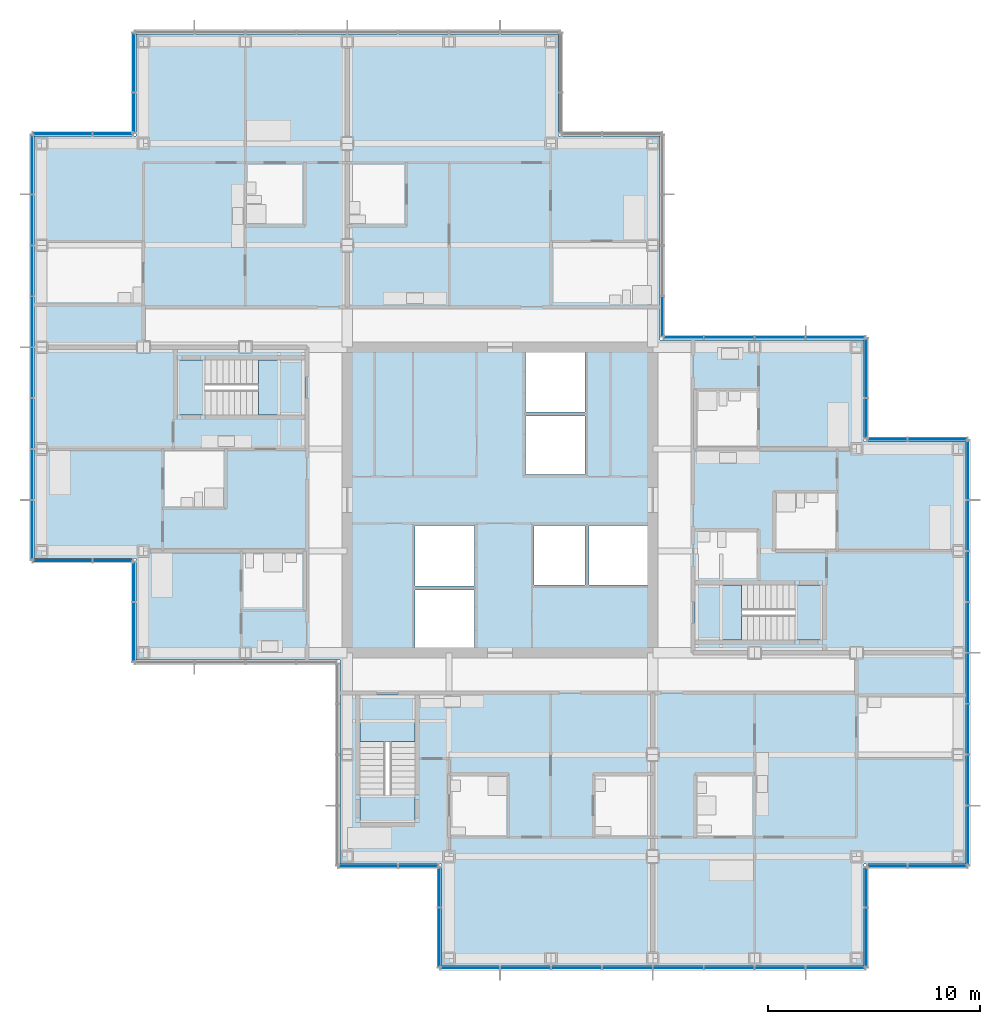
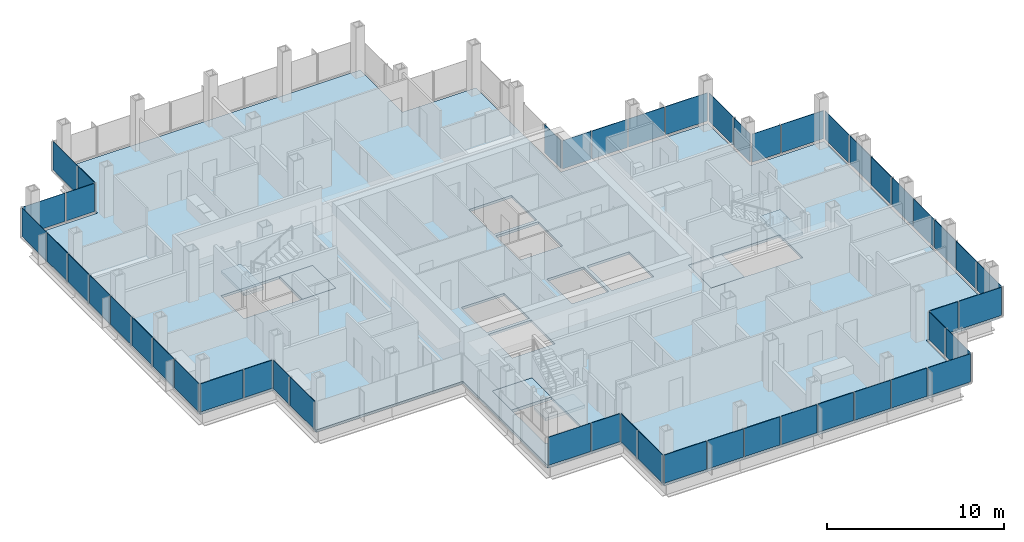
# One storey, part 12 of 20: 49 plates, 7 slabs, 18 elements without a shape of their own.
"""IFC4 building model written with IfcOpenShell, lengths in metres."""

import ifcopenshell
import ifcopenshell.guid

model = None  # the IFC model being written
_history = None  # IfcOwnerHistory: only IFC2X3 demands one
_inside = {}  # id of a spatial element -> (the spatial element, [elements in it])
_under = {}  # id of a project, library or spatial element -> (it, [spatial elements below it])
_declared = {}  # id of a project -> (the project, [libraries it declares])
_typed = {}  # id of a type object -> (the type object, [elements of that type])
_made_of = {}  # id of a material, layer set ... -> (it, [elements and type objects made of it])


def new_model(schema):
    """Start an empty IFC model of exactly this schema.

    Asked for "IFC4X3", IfcOpenShell would pick the latest addendum, in which some entities
    have other attributes; the version numbers below select the first issue.
    IFC2X3 requires an IfcOwnerHistory on every rooted entity: one is made here for all.
    """
    global model, _history
    if schema == "IFC4X3":
        model = ifcopenshell.file(schema_version=(4, 3, 0, 0))
    else:
        model = ifcopenshell.file(schema=schema)
    _inside.clear()
    _under.clear()
    _declared.clear()
    _typed.clear()
    _made_of.clear()
    _history = None
    if model.schema == "IFC2X3":
        org = make("IfcOrganization", Name="unknown")
        user = make(
            "IfcPersonAndOrganization",
            ThePerson=make("IfcPerson", FamilyName="unknown"),
            TheOrganization=org,
        )
        app = make(
            "IfcApplication",
            ApplicationDeveloper=org,
            Version="unknown",
            ApplicationFullName="unknown",
            ApplicationIdentifier="unknown",
        )
        _history = make(
            "IfcOwnerHistory",
            OwningUser=user,
            OwningApplication=app,
            ChangeAction="ADDED",
            CreationDate=0,
        )
    return model


def make(cls, **values):
    """One entity of the class cls with the attributes given. An attribute that is None is left unset."""
    return model.create_entity(
        cls, **{name: value for name, value in values.items() if value is not None}
    )


def rooted(cls, **values):
    """An entity with a GlobalId (a new one), such as an element, a storey or a relation."""
    return make(cls, GlobalId=ifcopenshell.guid.new(), OwnerHistory=_history, **values)


def si_unit(unit_type, name, prefix=None):
    """IfcSIUnit, for example si_unit("LENGTHUNIT", "METRE", prefix="MILLI")."""
    return make("IfcSIUnit", UnitType=unit_type, Prefix=prefix, Name=name)


def assignment(units):
    """IfcUnitAssignment: the units of a project."""
    return None if units is None else make("IfcUnitAssignment", Units=units)


def point(xyz):
    """IfcCartesianPoint."""
    return None if xyz is None else make("IfcCartesianPoint", Coordinates=xyz)


def direction(xyz):
    """IfcDirection."""
    return None if xyz is None else make("IfcDirection", DirectionRatios=xyz)


def frame(location, z_axis=None, x_axis=None):
    """IfcAxis2Placement3D, a coordinate frame: its origin and axes. An axis left out is left unset."""
    return make(
        "IfcAxis2Placement3D",
        Location=point(location),
        Axis=direction(z_axis),
        RefDirection=direction(x_axis),
    )


def frame_2d(location, x_axis=None):
    """IfcAxis2Placement2D, a coordinate frame in the plane: its origin and x axis."""
    return make(
        "IfcAxis2Placement2D", Location=point(location), RefDirection=direction(x_axis)
    )


def origin():
    """The frame at (0, 0, 0) with its axes left unset."""
    return frame((0.0, 0.0, 0.0))


def origin_2d():
    """The frame at (0, 0) in the plane with its x axis left unset."""
    return frame_2d((0.0, 0.0))


def place(relative_to, where):
    """IfcLocalPlacement: puts the frame where relative to a parent placement (None: the world)."""
    return make(
        "IfcLocalPlacement", PlacementRelTo=relative_to, RelativePlacement=where
    )


def context(
    kind, dimensions, precision=None, world=None, true_north=None, identifier=None
):
    """IfcGeometricRepresentationContext, for example the 3D "Model" context."""
    return make(
        "IfcGeometricRepresentationContext",
        ContextIdentifier=identifier,
        ContextType=kind,
        CoordinateSpaceDimension=dimensions,
        Precision=precision,
        WorldCoordinateSystem=world,
        TrueNorth=true_north,
    )


def subcontext(parent, identifier, kind, view, scale=None):
    """IfcGeometricRepresentationSubContext, for example "Body" below "Model"."""
    return make(
        "IfcGeometricRepresentationSubContext",
        ContextIdentifier=identifier,
        ContextType=kind,
        ParentContext=parent,
        TargetScale=scale,
        TargetView=view,
    )


def project(units=None, contexts=None):
    """IfcProject with its units and contexts."""
    return rooted(
        "IfcProject",
        Name="project",
        RepresentationContexts=contexts,
        UnitsInContext=assignment(units),
    )


def spatial(cls, under=None, at=None, **own):
    """A site, building, storey or space (cls), placed at a placement, below another one or the project."""
    s = rooted(cls, ObjectPlacement=at, **own)
    if under is not None:
        _under.setdefault(under.id(), (under, []))[1].append(s)
    return s


def polyline(points):
    """IfcPolyline through the points."""
    return make("IfcPolyline", Points=[point(p) for p in points])


def profile(cls, at=None, kind="AREA", **sizes):
    """A parametric profile (cls). Its sizes go by their IFC names, for example OverallWidth=200.0."""
    return make(cls, ProfileType=kind, Position=at, **sizes)


def rectangle(**sizes):
    """IfcRectangleProfileDef."""
    return profile("IfcRectangleProfileDef", **sizes)


def outline(outer, holes=None, kind="AREA"):
    """IfcArbitraryClosedProfileDef: a profile drawn as a closed curve; with holes, ...WithVoids."""
    if holes is None:
        return make("IfcArbitraryClosedProfileDef", ProfileType=kind, OuterCurve=outer)
    return make(
        "IfcArbitraryProfileDefWithVoids",
        ProfileType=kind,
        OuterCurve=outer,
        InnerCurves=holes,
    )


def extrude(swept, where, along, depth):
    """IfcExtrudedAreaSolid: the profile swept, set in the frame where, extruded along a direction by depth."""
    return make(
        "IfcExtrudedAreaSolid",
        SweptArea=swept,
        Position=where,
        ExtrudedDirection=direction(along),
        Depth=depth,
    )


def shape(context_of_items, identifier, shape_type, items):
    """IfcShapeRepresentation: the items that make up one representation, for example the "Body"."""
    return make(
        "IfcShapeRepresentation",
        ContextOfItems=context_of_items,
        RepresentationIdentifier=identifier,
        RepresentationType=shape_type,
        Items=items,
    )


def material(Name=None, Category=None):
    """IfcMaterial."""
    return make("IfcMaterial", Name=Name, Category=Category)


def layer(
    of_material, thickness, ventilated=None, Name=None, Category=None, Priority=None
):
    """IfcMaterialLayer: one layer of a wall or slab, of a material (None: an air gap)."""
    return make(
        "IfcMaterialLayer",
        Material=of_material,
        LayerThickness=thickness,
        IsVentilated=ventilated,
        Name=Name,
        Category=Category,
        Priority=Priority,
    )


def layer_set(layers, Name=None):
    """IfcMaterialLayerSet."""
    return make("IfcMaterialLayerSet", MaterialLayers=layers, LayerSetName=Name)


def made_of(thing, what):
    """Note that an element or type object is made of a material, layer set ...; save() writes the relation."""
    if what is not None:
        _made_of.setdefault(what.id(), (what, []))[1].append(thing)
    return thing


def type_object(cls, material=None, **own):
    """A type object (cls), such as IfcWallType, which elements share."""
    return made_of(rooted(cls, **own), material)


def element(
    cls,
    number,
    at=None,
    inside=None,
    cuts=None,
    type_object=None,
    material=None,
    context=None,
    identifier="Body",
    shape_type=None,
    held_by="IfcProductDefinitionShape",
    body=None,
    shapes=None,
    **own,
):
    """One element of the class cls, such as IfcWall. Its Tag is "e" and its number.

    at: its placement. inside: the storey or other place that contains it. cuts: it is an
    opening in that element (IfcRelVoidsElement). A single representation is given by context,
    identifier, shape_type and body (its items); several are given by shapes. held_by: the class
    of the entity that holds the representations. save() writes the other relations.
    """
    e = rooted(cls, Tag="e%d" % number, ObjectPlacement=at, **own)
    if body is not None:
        shapes = [shape(context, identifier, shape_type, body)]
    if shapes is not None:
        e.Representation = make(held_by, Representations=shapes)
    if inside is not None:
        _inside.setdefault(inside.id(), (inside, []))[1].append(e)
    if cuts is not None:
        rooted(
            "IfcRelVoidsElement", RelatingBuildingElement=cuts, RelatedOpeningElement=e
        )
    if type_object is not None:
        _typed.setdefault(type_object.id(), (type_object, []))[1].append(e)
    return made_of(e, material)


def aggregate(whole, parts):
    """IfcRelAggregates: a whole, such as a stair, and the parts it consists of."""
    return rooted("IfcRelAggregates", RelatingObject=whole, RelatedObjects=parts)


def save(model, path):
    """Write the relations noted so far, then the file.

    IfcRelAggregates (storeys below a building ...), IfcRelContainedInSpatialStructure (elements
    in a storey), IfcRelDefinesByType, IfcRelAssociatesMaterial and IfcRelDeclares: one each for
    every whole, place, type object, material and project.
    """
    for whole, parts in _under.values():
        aggregate(whole, parts)
    for where, things in _inside.values():
        rooted(
            "IfcRelContainedInSpatialStructure",
            RelatedElements=things,
            RelatingStructure=where,
        )
    for kind, things in _typed.values():
        rooted("IfcRelDefinesByType", RelatedObjects=things, RelatingType=kind)
    for what, things in _made_of.values():
        rooted("IfcRelAssociatesMaterial", RelatedObjects=things, RelatingMaterial=what)
    for by, libraries in _declared.values():
        rooted("IfcRelDeclares", RelatingContext=by, RelatedDefinitions=libraries)
    model.write(path)


model = new_model("IFC4")

# Units and contexts
model_context = context("Model", 3, precision=1e-05, world=origin(), true_north=direction((0.0, 1.0)))
body_context = subcontext(model_context, "Body", "Model", "MODEL_VIEW")
ifc_project = project(units=[si_unit("LENGTHUNIT", "METRE"), si_unit("AREAUNIT", "SQUARE_METRE"), si_unit("VOLUMEUNIT", "CUBIC_METRE"), si_unit("PLANEANGLEUNIT", "RADIAN"), si_unit("MASSUNIT", "GRAM", prefix="KILO")], contexts=[model_context])

# Site, building, storey
site_placement = place(None, origin())
site = spatial("IfcSite", under=ifc_project, at=site_placement, CompositionType="ELEMENT")
building_placement = place(site_placement, origin())
building = spatial("IfcBuilding", under=site, at=building_placement, Name="Kvirike Care Tower", CompositionType="ELEMENT")
storey_placement = place(building_placement, frame((0.0, 0.0, 133.0)))
storey = spatial("IfcBuildingStorey", under=building, at=storey_placement, Name="L36", CompositionType="ELEMENT", Elevation=133.0)

# Slab
ifc_material_1 = material(Name="Concrete C35/45", Category="concrete")
ifc_layer_1 = layer(ifc_material_1, 0.169921875)
ifc_layer_set_1 = layer_set([ifc_layer_1], Name="FLOOR SLAB 170")
slab_type_1 = type_object("IfcSlabType", Name="FLOOR SLAB 170", PredefinedType="FLOOR", material=ifc_layer_set_1)
slab_1_placement = place(storey_placement, frame((0.0, 0.0, -0.169921875)))
element("IfcSlab", 1, at=slab_1_placement, inside=storey, type_object=slab_type_1, Name="Floor slab L36", PredefinedType="FLOOR", context=body_context, shape_type="SweptSolid", body=[
    extrude(outline(polyline([(43.550048828125, 18.85009765625), (43.550048828125, 38.75), (38.75, 38.75), (38.75, 43.550048828125), (29.14990234375, 43.550048828125), (29.14990234375, 53.14990234375), (24.35009765625, 53.14990234375), (24.35009765625, 57.949951171875), (4.449951171875, 57.949951171875), (4.449951171875, 53.14990234375), (-0.35009765625, 53.14990234375), (-0.35009765625, 33.25), (4.449951171875, 33.25), (4.449951171875, 28.449951171875), (14.050048828125, 28.449951171875), (14.050048828125, 18.85009765625), (18.85009765625, 18.85009765625), (18.85009765625, 14.050048828125), (38.75, 14.050048828125), (38.75, 18.85009765625), (43.550048828125, 18.85009765625)]), holes=[polyline([(17.60009765625, 29.050048828125), (17.60009765625, 31.75), (20.39990234375, 31.75), (20.39990234375, 29.050048828125), (17.60009765625, 29.050048828125)]), polyline([(17.60009765625, 31.949951171875), (17.60009765625, 34.800048828125), (20.39990234375, 34.800048828125), (20.39990234375, 31.949951171875), (17.60009765625, 31.949951171875)]), polyline([(22.800048828125, 37.199951171875), (22.800048828125, 39.949951171875), (25.60009765625, 39.949951171875), (25.60009765625, 37.199951171875), (22.800048828125, 37.199951171875)]), polyline([(22.800048828125, 40.14990234375), (22.800048828125, 42.949951171875), (25.60009765625, 42.949951171875), (25.60009765625, 40.14990234375), (22.800048828125, 40.14990234375)]), polyline([(23.199951171875, 32.0), (23.199951171875, 34.800048828125), (25.60009765625, 34.800048828125), (25.60009765625, 32.0), (23.199951171875, 32.0)]), polyline([(25.800048828125, 32.0), (25.800048828125, 34.800048828125), (28.550048828125, 34.800048828125), (28.550048828125, 32.0), (25.800048828125, 32.0)]), polyline([(12.39990234375, 42.60009765625), (12.39990234375, 40.0), (6.39990234375, 40.0), (6.39990234375, 42.60009765625), (12.39990234375, 42.60009765625)]), polyline([(30.800048828125, 29.39990234375), (30.800048828125, 32.0), (36.800048828125, 32.0), (36.800048828125, 29.39990234375), (30.800048828125, 29.39990234375)]), polyline([(15.0, 26.800048828125), (17.60009765625, 26.800048828125), (17.60009765625, 20.800048828125), (15.0, 20.800048828125), (15.0, 26.800048828125)])]), origin(), (0.0, 0.0, 1.0), 0.169921875),
])

# Stair, slabs
ifc_material_2 = material(Name="Concrete C35/45", Category="concrete")
stair_type = type_object("IfcStairType", Name="STAIR 20 RISERS", PredefinedType="HALF_TURN_STAIR", material=ifc_material_2)
stair_1_placement = place(storey_placement, origin())
stair_1 = element("IfcStair", 2, at=stair_1_placement, inside=storey, type_object=stair_type, Name="Stair 1 L36", PredefinedType="HALF_TURN_STAIR")
ifc_material_3 = material(Name="Concrete C35/45", Category="concrete")
ifc_layer_2 = layer(ifc_material_3, 0.199951171875)
ifc_layer_set_2 = layer_set([ifc_layer_2], Name="STAIR LANDING 200")
slab_type_2 = type_object("IfcSlabType", Name="STAIR LANDING 200", PredefinedType="LANDING", material=ifc_layer_set_2)
slab_2_placement = place(storey_placement, frame((0.0, 0.0, -0.199951171875)))
slab_2 = element("IfcSlab", 3, at=slab_2_placement, type_object=slab_type_2, Name="Stair S1 floor landing L36", PredefinedType="LANDING", context=body_context, shape_type="SweptSolid", body=[
    extrude(outline(polyline([(10.219970703125, 42.60009765625), (10.219970703125, 40.0), (12.39990234375, 40.0), (12.39990234375, 42.60009765625), (10.219970703125, 42.60009765625)])), origin(), (0.0, 0.0, 1.0), 0.199951171875),
])
slab_3_placement = place(storey_placement, frame((0.0, 0.0, 1.550048828125)))
slab_3 = element("IfcSlab", 4, at=slab_3_placement, type_object=slab_type_2, Name="Stair S1 half landing L36-L37", PredefinedType="LANDING", context=body_context, shape_type="SweptSolid", body=[
    extrude(outline(polyline([(6.39990234375, 42.60009765625), (6.39990234375, 40.0), (7.699951171875, 40.0), (7.699951171875, 42.60009765625), (6.39990234375, 42.60009765625)])), origin(), (0.0, 0.0, 1.0), 0.199951171875),
])
aggregate(stair_1, [slab_2, slab_3])

stair_2_placement = place(storey_placement, origin())
stair_2 = element("IfcStair", 5, at=stair_2_placement, inside=storey, type_object=stair_type, Name="Stair 2 L36", PredefinedType="HALF_TURN_STAIR")
slab_4_placement = place(storey_placement, frame((0.0, 0.0, -0.199951171875)))
slab_4 = element("IfcSlab", 6, at=slab_4_placement, type_object=slab_type_2, Name="Stair S2 floor landing L36", PredefinedType="LANDING", context=body_context, shape_type="SweptSolid", body=[
    extrude(outline(polyline([(32.97998046875, 29.39990234375), (32.97998046875, 32.0), (30.800048828125, 32.0), (30.800048828125, 29.39990234375), (32.97998046875, 29.39990234375)])), origin(), (0.0, 0.0, 1.0), 0.199951171875),
])
slab_5_placement = place(storey_placement, frame((0.0, 0.0, 1.550048828125)))
slab_5 = element("IfcSlab", 7, at=slab_5_placement, type_object=slab_type_2, Name="Stair S2 half landing L36-L37", PredefinedType="LANDING", context=body_context, shape_type="SweptSolid", body=[
    extrude(outline(polyline([(36.800048828125, 29.39990234375), (36.800048828125, 32.0), (35.5, 32.0), (35.5, 29.39990234375), (36.800048828125, 29.39990234375)])), origin(), (0.0, 0.0, 1.0), 0.199951171875),
])
aggregate(stair_2, [slab_4, slab_5])

stair_3_placement = place(storey_placement, origin())
stair_3 = element("IfcStair", 8, at=stair_3_placement, inside=storey, type_object=stair_type, Name="Stair 5 L36", PredefinedType="HALF_TURN_STAIR")
slab_6_placement = place(storey_placement, frame((0.0, 0.0, -0.199951171875)))
slab_6 = element("IfcSlab", 9, at=slab_6_placement, type_object=slab_type_2, Name="Stair S5 floor landing L36", PredefinedType="LANDING", context=body_context, shape_type="SweptSolid", body=[
    extrude(outline(polyline([(15.0, 24.6201171875), (17.60009765625, 24.6201171875), (17.60009765625, 26.800048828125), (15.0, 26.800048828125), (15.0, 24.6201171875)])), origin(), (0.0, 0.0, 1.0), 0.199951171875),
])
slab_7_placement = place(storey_placement, frame((0.0, 0.0, 1.550048828125)))
slab_7 = element("IfcSlab", 10, at=slab_7_placement, type_object=slab_type_2, Name="Stair S5 half landing L36-L37", PredefinedType="LANDING", context=body_context, shape_type="SweptSolid", body=[
    extrude(outline(polyline([(15.0, 20.800048828125), (17.60009765625, 20.800048828125), (17.60009765625, 22.10009765625), (15.0, 22.10009765625), (15.0, 20.800048828125)])), origin(), (0.0, 0.0, 1.0), 0.199951171875),
])
aggregate(stair_3, [slab_6, slab_7])

# Curtain wall, plates
ifc_material_4 = material(Name="Anodised aluminium stick system", Category="aluminium")
curtain_wall_type = type_object("IfcCurtainWallType", Name="CW-B STICK CURTAIN WALL", PredefinedType="NOTDEFINED", material=ifc_material_4)
curtain_wall_1_placement = place(storey_placement, origin())
curtain_wall_1 = element("IfcCurtainWall", 11, at=curtain_wall_1_placement, inside=storey, type_object=curtain_wall_type, Name="Curtain wall L36 face 1", PredefinedType="NOTDEFINED")
ifc_material_5 = material(Name="Tinted double glazed unit", Category="glass")
ifc_layer_3 = layer(ifc_material_5, 0.035888671875)
ifc_layer_set_3 = layer_set([ifc_layer_3], Name="TINTED VISION PANEL 36")
plate_type = type_object("IfcPlateType", Name="TINTED VISION PANEL 36", PredefinedType="CURTAIN_PANEL", material=ifc_layer_set_3)
plate_1_placement = place(storey_placement, frame((43.659912109375, 20.186279296875, 0.10009765625), z_axis=(0.0, 0.0, 1.0), x_axis=(0.0, 1.0, 0.0)))
plate_1 = element("IfcPlate", 12, at=plate_1_placement, type_object=plate_type, Name="CW-B panel L36 face 1.1", PredefinedType="CURTAIN_PANEL", context=body_context, shape_type="SweptSolid", body=[
    extrude(rectangle(XDim=2.762451171875, YDim=0.035888671875, at=origin_2d()), origin(), (0.0, 0.0, 1.0), 1.949951171875),
])
plate_2_placement = place(storey_placement, frame((43.659912109375, 22.800048828125, 0.10009765625), z_axis=(0.0, 0.0, 1.0), x_axis=(0.0, 1.0, 0.0)))
plate_2 = element("IfcPlate", 13, at=plate_2_placement, type_object=plate_type, Name="CW-B panel L36 face 1.2", PredefinedType="CURTAIN_PANEL", context=body_context, shape_type="SweptSolid", body=[
    extrude(rectangle(XDim=2.3349609375, YDim=0.035888671875, at=origin_2d()), origin(), (0.0, 0.0, 1.0), 1.949951171875),
])
plate_3_placement = place(storey_placement, frame((43.659912109375, 25.199951171875, 0.10009765625), z_axis=(0.0, 0.0, 1.0), x_axis=(0.0, 1.0, 0.0)))
plate_3 = element("IfcPlate", 14, at=plate_3_placement, type_object=plate_type, Name="CW-B panel L36 face 1.3", PredefinedType="CURTAIN_PANEL", context=body_context, shape_type="SweptSolid", body=[
    extrude(rectangle(XDim=2.3349609375, YDim=0.035888671875, at=origin_2d()), origin(), (0.0, 0.0, 1.0), 1.949951171875),
])
plate_4_placement = place(storey_placement, frame((43.659912109375, 27.60009765625, 0.10009765625), z_axis=(0.0, 0.0, 1.0), x_axis=(0.0, 1.0, 0.0)))
plate_4 = element("IfcPlate", 15, at=plate_4_placement, type_object=plate_type, Name="CW-B panel L36 face 1.4", PredefinedType="CURTAIN_PANEL", context=body_context, shape_type="SweptSolid", body=[
    extrude(rectangle(XDim=2.3349609375, YDim=0.035888671875, at=origin_2d()), origin(), (0.0, 0.0, 1.0), 1.949951171875),
])
plate_5_placement = place(storey_placement, frame((43.659912109375, 30.0, 0.10009765625), z_axis=(0.0, 0.0, 1.0), x_axis=(0.0, 1.0, 0.0)))
plate_5 = element("IfcPlate", 16, at=plate_5_placement, type_object=plate_type, Name="CW-B panel L36 face 1.5", PredefinedType="CURTAIN_PANEL", context=body_context, shape_type="SweptSolid", body=[
    extrude(rectangle(XDim=2.3349609375, YDim=0.035888671875, at=origin_2d()), origin(), (0.0, 0.0, 1.0), 1.949951171875),
])
plate_6_placement = place(storey_placement, frame((43.659912109375, 32.39990234375, 0.10009765625), z_axis=(0.0, 0.0, 1.0), x_axis=(0.0, 1.0, 0.0)))
plate_6 = element("IfcPlate", 17, at=plate_6_placement, type_object=plate_type, Name="CW-B panel L36 face 1.6", PredefinedType="CURTAIN_PANEL", context=body_context, shape_type="SweptSolid", body=[
    extrude(rectangle(XDim=2.3349609375, YDim=0.035888671875, at=origin_2d()), origin(), (0.0, 0.0, 1.0), 1.949951171875),
])
plate_7_placement = place(storey_placement, frame((43.659912109375, 34.800048828125, 0.10009765625), z_axis=(0.0, 0.0, 1.0), x_axis=(0.0, 1.0, 0.0)))
plate_7 = element("IfcPlate", 18, at=plate_7_placement, type_object=plate_type, Name="CW-B panel L36 face 1.7", PredefinedType="CURTAIN_PANEL", context=body_context, shape_type="SweptSolid", body=[
    extrude(rectangle(XDim=2.3349609375, YDim=0.035888671875, at=origin_2d()), origin(), (0.0, 0.0, 1.0), 1.949951171875),
])
plate_8_placement = place(storey_placement, frame((43.659912109375, 37.413818359375, 0.10009765625), z_axis=(0.0, 0.0, 1.0), x_axis=(0.0, 1.0, 0.0)))
plate_8 = element("IfcPlate", 19, at=plate_8_placement, type_object=plate_type, Name="CW-B panel L36 face 1.8", PredefinedType="CURTAIN_PANEL", context=body_context, shape_type="SweptSolid", body=[
    extrude(rectangle(XDim=2.762451171875, YDim=0.035888671875, at=origin_2d()), origin(), (0.0, 0.0, 1.0), 1.949951171875),
])
aggregate(curtain_wall_1, [plate_1, plate_2, plate_3, plate_4, plate_5, plate_6, plate_7, plate_8])

curtain_wall_2_placement = place(storey_placement, origin())
curtain_wall_2 = element("IfcCurtainWall", 20, at=curtain_wall_2_placement, inside=storey, type_object=curtain_wall_type, Name="Curtain wall L36 face 2", PredefinedType="NOTDEFINED")
plate_9_placement = place(storey_placement, frame((42.2138671875, 38.860107421875, 0.10009765625), z_axis=(0.0, 0.0, 1.0), x_axis=(-1.0, 0.0, 0.0)))
plate_9 = element("IfcPlate", 21, at=plate_9_placement, type_object=plate_type, Name="CW-B panel L36 face 2.1", PredefinedType="CURTAIN_PANEL", context=body_context, shape_type="SweptSolid", body=[
    extrude(rectangle(XDim=2.762451171875, YDim=0.035888671875, at=origin_2d()), origin(), (0.0, 0.0, 1.0), 1.949951171875),
])
plate_10_placement = place(storey_placement, frame((39.84619140625, 38.860107421875, 0.10009765625), z_axis=(0.0, 0.0, 1.0), x_axis=(-1.0, 0.0, 0.0)))
plate_10 = element("IfcPlate", 22, at=plate_10_placement, type_object=plate_type, Name="CW-B panel L36 face 2.2", PredefinedType="CURTAIN_PANEL", context=body_context, shape_type="SweptSolid", body=[
    extrude(rectangle(XDim=1.842529296875, YDim=0.035888671875, at=origin_2d()), origin(), (0.0, 0.0, 1.0), 1.949951171875),
])
aggregate(curtain_wall_2, [plate_9, plate_10])

curtain_wall_3_placement = place(storey_placement, origin())
curtain_wall_3 = element("IfcCurtainWall", 23, at=curtain_wall_3_placement, inside=storey, type_object=curtain_wall_type, Name="Curtain wall L36 face 3", PredefinedType="NOTDEFINED")
plate_11_placement = place(storey_placement, frame((38.860107421875, 39.84619140625, 0.10009765625), z_axis=(0.0, 0.0, 1.0), x_axis=(0.0, 1.0, 0.0)))
plate_11 = element("IfcPlate", 24, at=plate_11_placement, type_object=plate_type, Name="CW-B panel L36 face 3.1", PredefinedType="CURTAIN_PANEL", context=body_context, shape_type="SweptSolid", body=[
    extrude(rectangle(XDim=1.842529296875, YDim=0.035888671875, at=origin_2d()), origin(), (0.0, 0.0, 1.0), 1.949951171875),
])
plate_12_placement = place(storey_placement, frame((38.860107421875, 42.2138671875, 0.10009765625), z_axis=(0.0, 0.0, 1.0), x_axis=(0.0, 1.0, 0.0)))
plate_12 = element("IfcPlate", 25, at=plate_12_placement, type_object=plate_type, Name="CW-B panel L36 face 3.2", PredefinedType="CURTAIN_PANEL", context=body_context, shape_type="SweptSolid", body=[
    extrude(rectangle(XDim=2.762451171875, YDim=0.035888671875, at=origin_2d()), origin(), (0.0, 0.0, 1.0), 1.949951171875),
])
aggregate(curtain_wall_3, [plate_11, plate_12])

curtain_wall_4_placement = place(storey_placement, origin())
curtain_wall_4 = element("IfcCurtainWall", 26, at=curtain_wall_4_placement, inside=storey, type_object=curtain_wall_type, Name="Curtain wall L36 face 4", PredefinedType="NOTDEFINED")
plate_13_placement = place(storey_placement, frame((37.413818359375, 43.659912109375, 0.10009765625), z_axis=(0.0, 0.0, 1.0), x_axis=(-1.0, 0.0, 0.0)))
plate_13 = element("IfcPlate", 27, at=plate_13_placement, type_object=plate_type, Name="CW-B panel L36 face 4.1", PredefinedType="CURTAIN_PANEL", context=body_context, shape_type="SweptSolid", body=[
    extrude(rectangle(XDim=2.762451171875, YDim=0.035888671875, at=origin_2d()), origin(), (0.0, 0.0, 1.0), 1.949951171875),
])
plate_14_placement = place(storey_placement, frame((34.800048828125, 43.659912109375, 0.10009765625), z_axis=(0.0, 0.0, 1.0), x_axis=(-1.0, 0.0, 0.0)))
plate_14 = element("IfcPlate", 28, at=plate_14_placement, type_object=plate_type, Name="CW-B panel L36 face 4.2", PredefinedType="CURTAIN_PANEL", context=body_context, shape_type="SweptSolid", body=[
    extrude(rectangle(XDim=2.3349609375, YDim=0.035888671875, at=origin_2d()), origin(), (0.0, 0.0, 1.0), 1.949951171875),
])
plate_15_placement = place(storey_placement, frame((32.39990234375, 43.659912109375, 0.10009765625), z_axis=(0.0, 0.0, 1.0), x_axis=(-1.0, 0.0, 0.0)))
plate_15 = element("IfcPlate", 29, at=plate_15_placement, type_object=plate_type, Name="CW-B panel L36 face 4.3", PredefinedType="CURTAIN_PANEL", context=body_context, shape_type="SweptSolid", body=[
    extrude(rectangle(XDim=2.3349609375, YDim=0.035888671875, at=origin_2d()), origin(), (0.0, 0.0, 1.0), 1.949951171875),
])
plate_16_placement = place(storey_placement, frame((30.246337890625, 43.659912109375, 0.10009765625), z_axis=(0.0, 0.0, 1.0), x_axis=(-1.0, 0.0, 0.0)))
plate_16 = element("IfcPlate", 30, at=plate_16_placement, type_object=plate_type, Name="CW-B panel L36 face 4.4", PredefinedType="CURTAIN_PANEL", context=body_context, shape_type="SweptSolid", body=[
    extrude(rectangle(XDim=1.842529296875, YDim=0.035888671875, at=origin_2d()), origin(), (0.0, 0.0, 1.0), 1.949951171875),
])
aggregate(curtain_wall_4, [plate_13, plate_14, plate_15, plate_16])

# Curtain wall, plate
curtain_wall_5_placement = place(storey_placement, origin())
curtain_wall_5 = element("IfcCurtainWall", 31, at=curtain_wall_5_placement, inside=storey, type_object=curtain_wall_type, Name="Curtain wall L36 face 5", PredefinedType="NOTDEFINED")
plate_17_placement = place(storey_placement, frame((29.260009765625, 44.646240234375, 0.10009765625), z_axis=(0.0, 0.0, 1.0), x_axis=(0.0, 1.0, 0.0)))
plate_17 = element("IfcPlate", 32, at=plate_17_placement, type_object=plate_type, Name="CW-B panel L36 face 5.1", PredefinedType="CURTAIN_PANEL", context=body_context, shape_type="SweptSolid", body=[
    extrude(rectangle(XDim=1.842529296875, YDim=0.035888671875, at=origin_2d()), origin(), (0.0, 0.0, 1.0), 1.949951171875),
])
aggregate(curtain_wall_5, [plate_17])

# Curtain wall, plates
curtain_wall_6_placement = place(storey_placement, origin())
curtain_wall_6 = element("IfcCurtainWall", 33, at=curtain_wall_6_placement, inside=storey, type_object=curtain_wall_type, Name="Curtain wall L36 face 9", PredefinedType="NOTDEFINED")
plate_18_placement = place(storey_placement, frame((4.340087890625, 56.61376953125, 0.10009765625), z_axis=(0.0, 0.0, 1.0), x_axis=(0.0, -1.0, 0.0)))
plate_18 = element("IfcPlate", 34, at=plate_18_placement, type_object=plate_type, Name="CW-B panel L36 face 9.1", PredefinedType="CURTAIN_PANEL", context=body_context, shape_type="SweptSolid", body=[
    extrude(rectangle(XDim=2.762451171875, YDim=0.035888671875, at=origin_2d()), origin(), (0.0, 0.0, 1.0), 1.949951171875),
])
plate_19_placement = place(storey_placement, frame((4.340087890625, 54.246337890625, 0.10009765625), z_axis=(0.0, 0.0, 1.0), x_axis=(0.0, -1.0, 0.0)))
plate_19 = element("IfcPlate", 35, at=plate_19_placement, type_object=plate_type, Name="CW-B panel L36 face 9.2", PredefinedType="CURTAIN_PANEL", context=body_context, shape_type="SweptSolid", body=[
    extrude(rectangle(XDim=1.842529296875, YDim=0.035888671875, at=origin_2d()), origin(), (0.0, 0.0, 1.0), 1.949951171875),
])
aggregate(curtain_wall_6, [plate_18, plate_19])

curtain_wall_7_placement = place(storey_placement, origin())
curtain_wall_7 = element("IfcCurtainWall", 36, at=curtain_wall_7_placement, inside=storey, type_object=curtain_wall_type, Name="Curtain wall L36 face 10", PredefinedType="NOTDEFINED")
plate_20_placement = place(storey_placement, frame((3.353759765625, 53.260009765625, 0.10009765625), z_axis=(0.0, 0.0, 1.0), x_axis=(-1.0, 0.0, 0.0)))
plate_20 = element("IfcPlate", 37, at=plate_20_placement, type_object=plate_type, Name="CW-B panel L36 face 10.1", PredefinedType="CURTAIN_PANEL", context=body_context, shape_type="SweptSolid", body=[
    extrude(rectangle(XDim=1.842529296875, YDim=0.035888671875, at=origin_2d()), origin(), (0.0, 0.0, 1.0), 1.949951171875),
])
plate_21_placement = place(storey_placement, frame((0.986328125, 53.260009765625, 0.10009765625), z_axis=(0.0, 0.0, 1.0), x_axis=(-1.0, 0.0, 0.0)))
plate_21 = element("IfcPlate", 38, at=plate_21_placement, type_object=plate_type, Name="CW-B panel L36 face 10.2", PredefinedType="CURTAIN_PANEL", context=body_context, shape_type="SweptSolid", body=[
    extrude(rectangle(XDim=2.762451171875, YDim=0.035888671875, at=origin_2d()), origin(), (0.0, 0.0, 1.0), 1.949951171875),
])
aggregate(curtain_wall_7, [plate_20, plate_21])

curtain_wall_8_placement = place(storey_placement, origin())
curtain_wall_8 = element("IfcCurtainWall", 39, at=curtain_wall_8_placement, inside=storey, type_object=curtain_wall_type, Name="Curtain wall L36 face 11", PredefinedType="NOTDEFINED")
plate_22_placement = place(storey_placement, frame((-0.4599609375, 51.813720703125, 0.10009765625), z_axis=(0.0, 0.0, 1.0), x_axis=(0.0, -1.0, 0.0)))
plate_22 = element("IfcPlate", 40, at=plate_22_placement, type_object=plate_type, Name="CW-B panel L36 face 11.1", PredefinedType="CURTAIN_PANEL", context=body_context, shape_type="SweptSolid", body=[
    extrude(rectangle(XDim=2.762451171875, YDim=0.035888671875, at=origin_2d()), origin(), (0.0, 0.0, 1.0), 1.949951171875),
])
plate_23_placement = place(storey_placement, frame((-0.4599609375, 49.199951171875, 0.10009765625), z_axis=(0.0, 0.0, 1.0), x_axis=(0.0, -1.0, 0.0)))
plate_23 = element("IfcPlate", 41, at=plate_23_placement, type_object=plate_type, Name="CW-B panel L36 face 11.2", PredefinedType="CURTAIN_PANEL", context=body_context, shape_type="SweptSolid", body=[
    extrude(rectangle(XDim=2.3349609375, YDim=0.035888671875, at=origin_2d()), origin(), (0.0, 0.0, 1.0), 1.949951171875),
])
plate_24_placement = place(storey_placement, frame((-0.4599609375, 46.800048828125, 0.10009765625), z_axis=(0.0, 0.0, 1.0), x_axis=(0.0, -1.0, 0.0)))
plate_24 = element("IfcPlate", 42, at=plate_24_placement, type_object=plate_type, Name="CW-B panel L36 face 11.3", PredefinedType="CURTAIN_PANEL", context=body_context, shape_type="SweptSolid", body=[
    extrude(rectangle(XDim=2.3349609375, YDim=0.035888671875, at=origin_2d()), origin(), (0.0, 0.0, 1.0), 1.949951171875),
])
plate_25_placement = place(storey_placement, frame((-0.4599609375, 44.39990234375, 0.10009765625), z_axis=(0.0, 0.0, 1.0), x_axis=(0.0, -1.0, 0.0)))
plate_25 = element("IfcPlate", 43, at=plate_25_placement, type_object=plate_type, Name="CW-B panel L36 face 11.4", PredefinedType="CURTAIN_PANEL", context=body_context, shape_type="SweptSolid", body=[
    extrude(rectangle(XDim=2.3349609375, YDim=0.035888671875, at=origin_2d()), origin(), (0.0, 0.0, 1.0), 1.949951171875),
])
plate_26_placement = place(storey_placement, frame((-0.4599609375, 42.0, 0.10009765625), z_axis=(0.0, 0.0, 1.0), x_axis=(0.0, -1.0, 0.0)))
plate_26 = element("IfcPlate", 44, at=plate_26_placement, type_object=plate_type, Name="CW-B panel L36 face 11.5", PredefinedType="CURTAIN_PANEL", context=body_context, shape_type="SweptSolid", body=[
    extrude(rectangle(XDim=2.3349609375, YDim=0.035888671875, at=origin_2d()), origin(), (0.0, 0.0, 1.0), 1.949951171875),
])
plate_27_placement = place(storey_placement, frame((-0.4599609375, 39.60009765625, 0.10009765625), z_axis=(0.0, 0.0, 1.0), x_axis=(0.0, -1.0, 0.0)))
plate_27 = element("IfcPlate", 45, at=plate_27_placement, type_object=plate_type, Name="CW-B panel L36 face 11.6", PredefinedType="CURTAIN_PANEL", context=body_context, shape_type="SweptSolid", body=[
    extrude(rectangle(XDim=2.3349609375, YDim=0.035888671875, at=origin_2d()), origin(), (0.0, 0.0, 1.0), 1.949951171875),
])
plate_28_placement = place(storey_placement, frame((-0.4599609375, 37.199951171875, 0.10009765625), z_axis=(0.0, 0.0, 1.0), x_axis=(0.0, -1.0, 0.0)))
plate_28 = element("IfcPlate", 46, at=plate_28_placement, type_object=plate_type, Name="CW-B panel L36 face 11.7", PredefinedType="CURTAIN_PANEL", context=body_context, shape_type="SweptSolid", body=[
    extrude(rectangle(XDim=2.3349609375, YDim=0.035888671875, at=origin_2d()), origin(), (0.0, 0.0, 1.0), 1.949951171875),
])
plate_29_placement = place(storey_placement, frame((-0.4599609375, 34.586181640625, 0.10009765625), z_axis=(0.0, 0.0, 1.0), x_axis=(0.0, -1.0, 0.0)))
plate_29 = element("IfcPlate", 47, at=plate_29_placement, type_object=plate_type, Name="CW-B panel L36 face 11.8", PredefinedType="CURTAIN_PANEL", context=body_context, shape_type="SweptSolid", body=[
    extrude(rectangle(XDim=2.762451171875, YDim=0.035888671875, at=origin_2d()), origin(), (0.0, 0.0, 1.0), 1.949951171875),
])
aggregate(curtain_wall_8, [plate_22, plate_23, plate_24, plate_25, plate_26, plate_27, plate_28, plate_29])

curtain_wall_9_placement = place(storey_placement, origin())
curtain_wall_9 = element("IfcCurtainWall", 48, at=curtain_wall_9_placement, inside=storey, type_object=curtain_wall_type, Name="Curtain wall L36 face 12", PredefinedType="NOTDEFINED")
plate_30_placement = place(storey_placement, frame((0.986328125, 33.139892578125, 0.10009765625), z_axis=(0.0, 0.0, 1.0), x_axis=(1.0, 0.0, 0.0)))
plate_30 = element("IfcPlate", 49, at=plate_30_placement, type_object=plate_type, Name="CW-B panel L36 face 12.1", PredefinedType="CURTAIN_PANEL", context=body_context, shape_type="SweptSolid", body=[
    extrude(rectangle(XDim=2.762451171875, YDim=0.035888671875, at=origin_2d()), origin(), (0.0, 0.0, 1.0), 1.949951171875),
])
plate_31_placement = place(storey_placement, frame((3.353759765625, 33.139892578125, 0.10009765625), z_axis=(0.0, 0.0, 1.0), x_axis=(1.0, 0.0, 0.0)))
plate_31 = element("IfcPlate", 50, at=plate_31_placement, type_object=plate_type, Name="CW-B panel L36 face 12.2", PredefinedType="CURTAIN_PANEL", context=body_context, shape_type="SweptSolid", body=[
    extrude(rectangle(XDim=1.842529296875, YDim=0.035888671875, at=origin_2d()), origin(), (0.0, 0.0, 1.0), 1.949951171875),
])
aggregate(curtain_wall_9, [plate_30, plate_31])

curtain_wall_10_placement = place(storey_placement, origin())
curtain_wall_10 = element("IfcCurtainWall", 51, at=curtain_wall_10_placement, inside=storey, type_object=curtain_wall_type, Name="Curtain wall L36 face 13", PredefinedType="NOTDEFINED")
plate_32_placement = place(storey_placement, frame((4.340087890625, 32.15380859375, 0.10009765625), z_axis=(0.0, 0.0, 1.0), x_axis=(0.0, -1.0, 0.0)))
plate_32 = element("IfcPlate", 52, at=plate_32_placement, type_object=plate_type, Name="CW-B panel L36 face 13.1", PredefinedType="CURTAIN_PANEL", context=body_context, shape_type="SweptSolid", body=[
    extrude(rectangle(XDim=1.842529296875, YDim=0.035888671875, at=origin_2d()), origin(), (0.0, 0.0, 1.0), 1.949951171875),
])
plate_33_placement = place(storey_placement, frame((4.340087890625, 29.7861328125, 0.10009765625), z_axis=(0.0, 0.0, 1.0), x_axis=(0.0, -1.0, 0.0)))
plate_33 = element("IfcPlate", 53, at=plate_33_placement, type_object=plate_type, Name="CW-B panel L36 face 13.2", PredefinedType="CURTAIN_PANEL", context=body_context, shape_type="SweptSolid", body=[
    extrude(rectangle(XDim=2.762451171875, YDim=0.035888671875, at=origin_2d()), origin(), (0.0, 0.0, 1.0), 1.949951171875),
])
aggregate(curtain_wall_10, [plate_32, plate_33])

curtain_wall_11_placement = place(storey_placement, origin())
curtain_wall_11 = element("IfcCurtainWall", 54, at=curtain_wall_11_placement, inside=storey, type_object=curtain_wall_type, Name="Curtain wall L36 face 16", PredefinedType="NOTDEFINED")
plate_34_placement = place(storey_placement, frame((15.38623046875, 18.739990234375, 0.10009765625), z_axis=(0.0, 0.0, 1.0), x_axis=(1.0, 0.0, 0.0)))
plate_34 = element("IfcPlate", 55, at=plate_34_placement, type_object=plate_type, Name="CW-B panel L36 face 16.1", PredefinedType="CURTAIN_PANEL", context=body_context, shape_type="SweptSolid", body=[
    extrude(rectangle(XDim=2.762451171875, YDim=0.035888671875, at=origin_2d()), origin(), (0.0, 0.0, 1.0), 1.949951171875),
])
plate_35_placement = place(storey_placement, frame((17.753662109375, 18.739990234375, 0.10009765625), z_axis=(0.0, 0.0, 1.0), x_axis=(1.0, 0.0, 0.0)))
plate_35 = element("IfcPlate", 56, at=plate_35_placement, type_object=plate_type, Name="CW-B panel L36 face 16.2", PredefinedType="CURTAIN_PANEL", context=body_context, shape_type="SweptSolid", body=[
    extrude(rectangle(XDim=1.842529296875, YDim=0.035888671875, at=origin_2d()), origin(), (0.0, 0.0, 1.0), 1.949951171875),
])
aggregate(curtain_wall_11, [plate_34, plate_35])

curtain_wall_12_placement = place(storey_placement, origin())
curtain_wall_12 = element("IfcCurtainWall", 57, at=curtain_wall_12_placement, inside=storey, type_object=curtain_wall_type, Name="Curtain wall L36 face 17", PredefinedType="NOTDEFINED")
plate_36_placement = place(storey_placement, frame((18.739990234375, 17.753662109375, 0.10009765625), z_axis=(0.0, 0.0, 1.0), x_axis=(0.0, -1.0, 0.0)))
plate_36 = element("IfcPlate", 58, at=plate_36_placement, type_object=plate_type, Name="CW-B panel L36 face 17.1", PredefinedType="CURTAIN_PANEL", context=body_context, shape_type="SweptSolid", body=[
    extrude(rectangle(XDim=1.842529296875, YDim=0.035888671875, at=origin_2d()), origin(), (0.0, 0.0, 1.0), 1.949951171875),
])
plate_37_placement = place(storey_placement, frame((18.739990234375, 15.38623046875, 0.10009765625), z_axis=(0.0, 0.0, 1.0), x_axis=(0.0, -1.0, 0.0)))
plate_37 = element("IfcPlate", 59, at=plate_37_placement, type_object=plate_type, Name="CW-B panel L36 face 17.2", PredefinedType="CURTAIN_PANEL", context=body_context, shape_type="SweptSolid", body=[
    extrude(rectangle(XDim=2.762451171875, YDim=0.035888671875, at=origin_2d()), origin(), (0.0, 0.0, 1.0), 1.949951171875),
])
aggregate(curtain_wall_12, [plate_36, plate_37])

curtain_wall_13_placement = place(storey_placement, origin())
curtain_wall_13 = element("IfcCurtainWall", 60, at=curtain_wall_13_placement, inside=storey, type_object=curtain_wall_type, Name="Curtain wall L36 face 18", PredefinedType="NOTDEFINED")
plate_38_placement = place(storey_placement, frame((20.186279296875, 13.93994140625, 0.10009765625), z_axis=(0.0, 0.0, 1.0), x_axis=(1.0, 0.0, 0.0)))
plate_38 = element("IfcPlate", 61, at=plate_38_placement, type_object=plate_type, Name="CW-B panel L36 face 18.1", PredefinedType="CURTAIN_PANEL", context=body_context, shape_type="SweptSolid", body=[
    extrude(rectangle(XDim=2.762451171875, YDim=0.035888671875, at=origin_2d()), origin(), (0.0, 0.0, 1.0), 1.949951171875),
])
plate_39_placement = place(storey_placement, frame((22.800048828125, 13.93994140625, 0.10009765625), z_axis=(0.0, 0.0, 1.0), x_axis=(1.0, 0.0, 0.0)))
plate_39 = element("IfcPlate", 62, at=plate_39_placement, type_object=plate_type, Name="CW-B panel L36 face 18.2", PredefinedType="CURTAIN_PANEL", context=body_context, shape_type="SweptSolid", body=[
    extrude(rectangle(XDim=2.3349609375, YDim=0.035888671875, at=origin_2d()), origin(), (0.0, 0.0, 1.0), 1.949951171875),
])
plate_40_placement = place(storey_placement, frame((25.199951171875, 13.93994140625, 0.10009765625), z_axis=(0.0, 0.0, 1.0), x_axis=(1.0, 0.0, 0.0)))
plate_40 = element("IfcPlate", 63, at=plate_40_placement, type_object=plate_type, Name="CW-B panel L36 face 18.3", PredefinedType="CURTAIN_PANEL", context=body_context, shape_type="SweptSolid", body=[
    extrude(rectangle(XDim=2.3349609375, YDim=0.035888671875, at=origin_2d()), origin(), (0.0, 0.0, 1.0), 1.949951171875),
])
plate_41_placement = place(storey_placement, frame((27.60009765625, 13.93994140625, 0.10009765625), z_axis=(0.0, 0.0, 1.0), x_axis=(1.0, 0.0, 0.0)))
plate_41 = element("IfcPlate", 64, at=plate_41_placement, type_object=plate_type, Name="CW-B panel L36 face 18.4", PredefinedType="CURTAIN_PANEL", context=body_context, shape_type="SweptSolid", body=[
    extrude(rectangle(XDim=2.3349609375, YDim=0.035888671875, at=origin_2d()), origin(), (0.0, 0.0, 1.0), 1.949951171875),
])
plate_42_placement = place(storey_placement, frame((30.0, 13.93994140625, 0.10009765625), z_axis=(0.0, 0.0, 1.0), x_axis=(1.0, 0.0, 0.0)))
plate_42 = element("IfcPlate", 65, at=plate_42_placement, type_object=plate_type, Name="CW-B panel L36 face 18.5", PredefinedType="CURTAIN_PANEL", context=body_context, shape_type="SweptSolid", body=[
    extrude(rectangle(XDim=2.3349609375, YDim=0.035888671875, at=origin_2d()), origin(), (0.0, 0.0, 1.0), 1.949951171875),
])
plate_43_placement = place(storey_placement, frame((32.39990234375, 13.93994140625, 0.10009765625), z_axis=(0.0, 0.0, 1.0), x_axis=(1.0, 0.0, 0.0)))
plate_43 = element("IfcPlate", 66, at=plate_43_placement, type_object=plate_type, Name="CW-B panel L36 face 18.6", PredefinedType="CURTAIN_PANEL", context=body_context, shape_type="SweptSolid", body=[
    extrude(rectangle(XDim=2.3349609375, YDim=0.035888671875, at=origin_2d()), origin(), (0.0, 0.0, 1.0), 1.949951171875),
])
plate_44_placement = place(storey_placement, frame((34.800048828125, 13.93994140625, 0.10009765625), z_axis=(0.0, 0.0, 1.0), x_axis=(1.0, 0.0, 0.0)))
plate_44 = element("IfcPlate", 67, at=plate_44_placement, type_object=plate_type, Name="CW-B panel L36 face 18.7", PredefinedType="CURTAIN_PANEL", context=body_context, shape_type="SweptSolid", body=[
    extrude(rectangle(XDim=2.3349609375, YDim=0.035888671875, at=origin_2d()), origin(), (0.0, 0.0, 1.0), 1.949951171875),
])
plate_45_placement = place(storey_placement, frame((37.413818359375, 13.93994140625, 0.10009765625), z_axis=(0.0, 0.0, 1.0), x_axis=(1.0, 0.0, 0.0)))
plate_45 = element("IfcPlate", 68, at=plate_45_placement, type_object=plate_type, Name="CW-B panel L36 face 18.8", PredefinedType="CURTAIN_PANEL", context=body_context, shape_type="SweptSolid", body=[
    extrude(rectangle(XDim=2.762451171875, YDim=0.035888671875, at=origin_2d()), origin(), (0.0, 0.0, 1.0), 1.949951171875),
])
aggregate(curtain_wall_13, [plate_38, plate_39, plate_40, plate_41, plate_42, plate_43, plate_44, plate_45])

curtain_wall_14_placement = place(storey_placement, origin())
curtain_wall_14 = element("IfcCurtainWall", 69, at=curtain_wall_14_placement, inside=storey, type_object=curtain_wall_type, Name="Curtain wall L36 face 19", PredefinedType="NOTDEFINED")
plate_46_placement = place(storey_placement, frame((38.860107421875, 15.38623046875, 0.10009765625), z_axis=(0.0, 0.0, 1.0), x_axis=(0.0, 1.0, 0.0)))
plate_46 = element("IfcPlate", 70, at=plate_46_placement, type_object=plate_type, Name="CW-B panel L36 face 19.1", PredefinedType="CURTAIN_PANEL", context=body_context, shape_type="SweptSolid", body=[
    extrude(rectangle(XDim=2.762451171875, YDim=0.035888671875, at=origin_2d()), origin(), (0.0, 0.0, 1.0), 1.949951171875),
])
plate_47_placement = place(storey_placement, frame((38.860107421875, 17.753662109375, 0.10009765625), z_axis=(0.0, 0.0, 1.0), x_axis=(0.0, 1.0, 0.0)))
plate_47 = element("IfcPlate", 71, at=plate_47_placement, type_object=plate_type, Name="CW-B panel L36 face 19.2", PredefinedType="CURTAIN_PANEL", context=body_context, shape_type="SweptSolid", body=[
    extrude(rectangle(XDim=1.842529296875, YDim=0.035888671875, at=origin_2d()), origin(), (0.0, 0.0, 1.0), 1.949951171875),
])
aggregate(curtain_wall_14, [plate_46, plate_47])

curtain_wall_15_placement = place(storey_placement, origin())
curtain_wall_15 = element("IfcCurtainWall", 72, at=curtain_wall_15_placement, inside=storey, type_object=curtain_wall_type, Name="Curtain wall L36 face 20", PredefinedType="NOTDEFINED")
plate_48_placement = place(storey_placement, frame((39.84619140625, 18.739990234375, 0.10009765625), z_axis=(0.0, 0.0, 1.0), x_axis=(1.0, 0.0, 0.0)))
plate_48 = element("IfcPlate", 73, at=plate_48_placement, type_object=plate_type, Name="CW-B panel L36 face 20.1", PredefinedType="CURTAIN_PANEL", context=body_context, shape_type="SweptSolid", body=[
    extrude(rectangle(XDim=1.842529296875, YDim=0.035888671875, at=origin_2d()), origin(), (0.0, 0.0, 1.0), 1.949951171875),
])
plate_49_placement = place(storey_placement, frame((42.2138671875, 18.739990234375, 0.10009765625), z_axis=(0.0, 0.0, 1.0), x_axis=(1.0, 0.0, 0.0)))
plate_49 = element("IfcPlate", 74, at=plate_49_placement, type_object=plate_type, Name="CW-B panel L36 face 20.2", PredefinedType="CURTAIN_PANEL", context=body_context, shape_type="SweptSolid", body=[
    extrude(rectangle(XDim=2.762451171875, YDim=0.035888671875, at=origin_2d()), origin(), (0.0, 0.0, 1.0), 1.949951171875),
])
aggregate(curtain_wall_15, [plate_48, plate_49])

save(model, "model.ifc")
